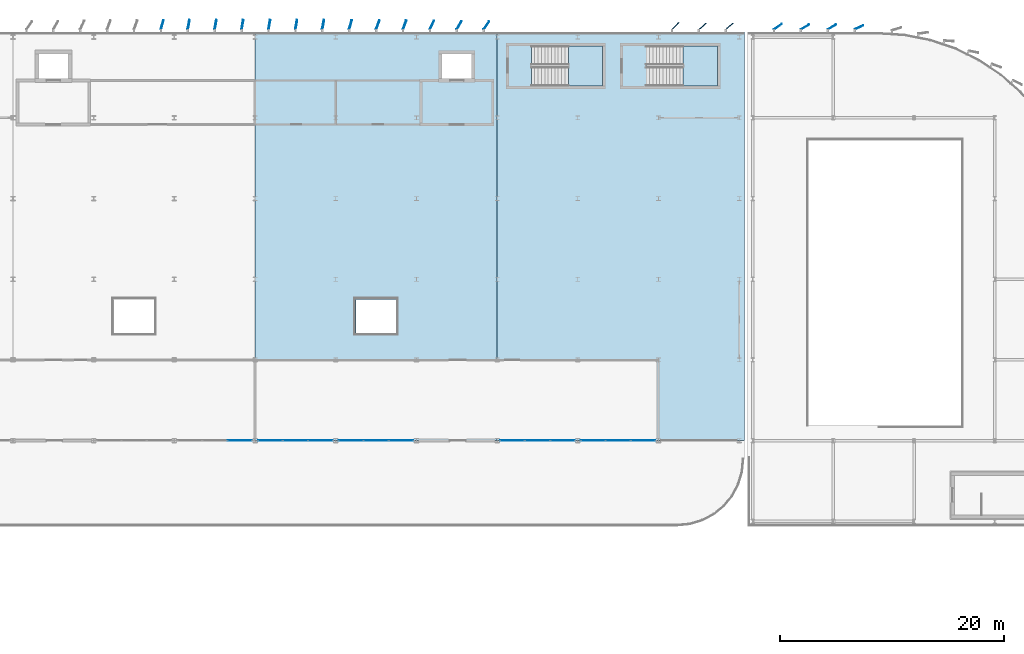
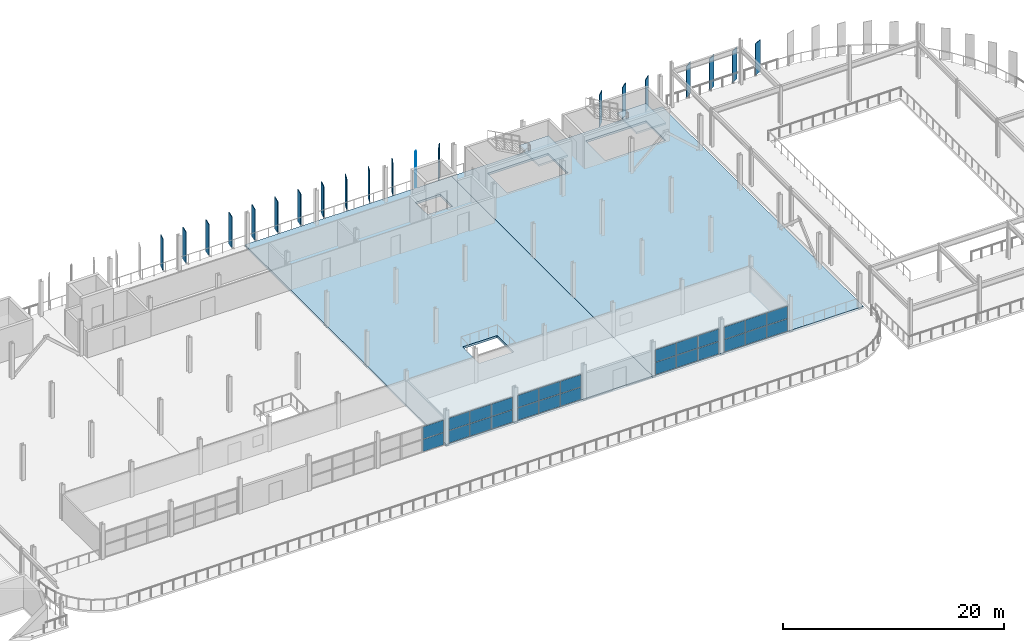
# One storey, part 23 of 40: 46 plates, 4 slabs, 7 elements without a shape of their own.
"""IFC4 building model written with IfcOpenShell, lengths in metres."""

from ifc_helpers import new_model, si_unit, direction, frame, origin, origin_2d, place, context, subcontext, project, spatial, polyline, rectangle, outline, extrude, material, layer, layer_set, type_object, element, aggregate, save


model = new_model("IFC4")

# Units and contexts
model_context = context("Model", 3, precision=1e-05, world=origin(), true_north=direction((0.0, 1.0)))
body_context = subcontext(model_context, "Body", "Model", "MODEL_VIEW")
ifc_project = project(units=[si_unit("LENGTHUNIT", "METRE"), si_unit("AREAUNIT", "SQUARE_METRE"), si_unit("VOLUMEUNIT", "CUBIC_METRE"), si_unit("PLANEANGLEUNIT", "RADIAN"), si_unit("MASSUNIT", "GRAM", prefix="KILO")], contexts=[model_context])

# Site, building, storey
site_placement = place(None, origin())
site = spatial("IfcSite", under=ifc_project, at=site_placement, CompositionType="ELEMENT")
building_placement = place(site_placement, origin())
building = spatial("IfcBuilding", under=site, at=building_placement, Name="Vaelcorin Mobility Hub", CompositionType="ELEMENT")
storey_placement = place(building_placement, frame((0.0, 0.0, 17.10009765625)))
storey = spatial("IfcBuildingStorey", under=building, at=storey_placement, Name="L04", CompositionType="ELEMENT", Elevation=17.10009765625)

# Curtain wall, plates
ifc_material_1 = material(Name="Anodised aluminium 6063-T6", Category="aluminium")
curtain_wall_type = type_object("IfcCurtainWallType", Name="CW-MOB-A", PredefinedType="NOTDEFINED", material=ifc_material_1)
curtain_wall_1_placement = place(storey_placement, origin())
curtain_wall_1 = element("IfcCurtainWall", 1, at=curtain_wall_1_placement, inside=storey, type_object=curtain_wall_type, Name="L04 Curtain Wall CW-V4-L04-S-06", PredefinedType="NOTDEFINED")
ifc_material_2 = material(Name="Low-E solar-control insulated glazing", Category="glass")
ifc_layer_1 = layer(ifc_material_2, 0.028076171875)
ifc_layer_set_1 = layer_set([ifc_layer_1], Name="Low-E solar-control insulated glazing")
plate_type_1 = type_object("IfcPlateType", Name="CW-PAN-GLZ28", PredefinedType="CURTAIN_PANEL", material=ifc_layer_set_1)
plate_1_placement = place(storey_placement, frame((77.83837890625, 84.0, 0.06005859375), z_axis=(0.0, 0.0, 1.0), x_axis=(-1.0, 0.0, 0.0)))
plate_1 = element("IfcPlate", 2, at=plate_1_placement, type_object=plate_type_1, Name="CW7 panel 1.1", PredefinedType="CURTAIN_PANEL", context=body_context, shape_type="SweptSolid", body=[
    extrude(rectangle(XDim=2.163330078125, YDim=0.028076171875, at=origin_2d()), origin(), (0.0, 0.0, 1.0), 1.343994140625),
])
plate_2_placement = place(storey_placement, frame((77.83837890625, 84.0, 1.4638671875), z_axis=(0.0, 0.0, 1.0), x_axis=(-1.0, 0.0, 0.0)))
plate_2 = element("IfcPlate", 3, at=plate_2_placement, type_object=plate_type_1, Name="CW7 panel 1.2", PredefinedType="CURTAIN_PANEL", context=body_context, shape_type="SweptSolid", body=[
    extrude(rectangle(XDim=2.163330078125, YDim=0.028076171875, at=origin_2d()), origin(), (0.0, 0.0, 1.0), 1.343994140625),
])
aggregate(curtain_wall_1, [plate_1, plate_2])

curtain_wall_2_placement = place(storey_placement, origin())
curtain_wall_2 = element("IfcCurtainWall", 4, at=curtain_wall_2_placement, inside=storey, type_object=curtain_wall_type, Name="L04 Curtain Wall CW-V4-L04-S-07", PredefinedType="NOTDEFINED")
plate_3_placement = place(storey_placement, frame((85.038330078125, 84.0, 0.06005859375), z_axis=(0.0, 0.0, 1.0), x_axis=(-1.0, 0.0, 0.0)))
plate_3 = element("IfcPlate", 5, at=plate_3_placement, type_object=plate_type_1, Name="CW7 panel 1.1", PredefinedType="CURTAIN_PANEL", context=body_context, shape_type="SweptSolid", body=[
    extrude(rectangle(XDim=2.163330078125, YDim=0.028076171875, at=origin_2d()), origin(), (0.0, 0.0, 1.0), 1.343994140625),
])
plate_4_placement = place(storey_placement, frame((85.038330078125, 84.0, 1.4638671875), z_axis=(0.0, 0.0, 1.0), x_axis=(-1.0, 0.0, 0.0)))
plate_4 = element("IfcPlate", 6, at=plate_4_placement, type_object=plate_type_1, Name="CW7 panel 1.2", PredefinedType="CURTAIN_PANEL", context=body_context, shape_type="SweptSolid", body=[
    extrude(rectangle(XDim=2.163330078125, YDim=0.028076171875, at=origin_2d()), origin(), (0.0, 0.0, 1.0), 1.343994140625),
])
plate_5_placement = place(storey_placement, frame((82.800048828125, 84.0, 0.06005859375), z_axis=(0.0, 0.0, 1.0), x_axis=(-1.0, 0.0, 0.0)))
plate_5 = element("IfcPlate", 7, at=plate_5_placement, type_object=plate_type_1, Name="CW7 panel 2.1", PredefinedType="CURTAIN_PANEL", context=body_context, shape_type="SweptSolid", body=[
    extrude(rectangle(XDim=2.193359375, YDim=0.028076171875, at=origin_2d()), origin(), (0.0, 0.0, 1.0), 1.343994140625),
])
plate_6_placement = place(storey_placement, frame((82.800048828125, 84.0, 1.4638671875), z_axis=(0.0, 0.0, 1.0), x_axis=(-1.0, 0.0, 0.0)))
plate_6 = element("IfcPlate", 8, at=plate_6_placement, type_object=plate_type_1, Name="CW7 panel 2.2", PredefinedType="CURTAIN_PANEL", context=body_context, shape_type="SweptSolid", body=[
    extrude(rectangle(XDim=2.193359375, YDim=0.028076171875, at=origin_2d()), origin(), (0.0, 0.0, 1.0), 1.343994140625),
])
plate_7_placement = place(storey_placement, frame((80.561767578125, 84.0, 0.06005859375), z_axis=(0.0, 0.0, 1.0), x_axis=(-1.0, 0.0, 0.0)))
plate_7 = element("IfcPlate", 9, at=plate_7_placement, type_object=plate_type_1, Name="CW7 panel 3.1", PredefinedType="CURTAIN_PANEL", context=body_context, shape_type="SweptSolid", body=[
    extrude(rectangle(XDim=2.163330078125, YDim=0.028076171875, at=origin_2d()), origin(), (0.0, 0.0, 1.0), 1.343994140625),
])
plate_8_placement = place(storey_placement, frame((80.561767578125, 84.0, 1.4638671875), z_axis=(0.0, 0.0, 1.0), x_axis=(-1.0, 0.0, 0.0)))
plate_8 = element("IfcPlate", 10, at=plate_8_placement, type_object=plate_type_1, Name="CW7 panel 3.2", PredefinedType="CURTAIN_PANEL", context=body_context, shape_type="SweptSolid", body=[
    extrude(rectangle(XDim=2.163330078125, YDim=0.028076171875, at=origin_2d()), origin(), (0.0, 0.0, 1.0), 1.343994140625),
])
aggregate(curtain_wall_2, [plate_3, plate_4, plate_5, plate_6, plate_7, plate_8])

curtain_wall_3_placement = place(storey_placement, origin())
curtain_wall_3 = element("IfcCurtainWall", 11, at=curtain_wall_3_placement, inside=storey, type_object=curtain_wall_type, Name="L04 Curtain Wall CW-V4-L04-S-08", PredefinedType="NOTDEFINED")
plate_9_placement = place(storey_placement, frame((92.23828125, 84.0, 0.06005859375), z_axis=(0.0, 0.0, 1.0), x_axis=(-1.0, 0.0, 0.0)))
plate_9 = element("IfcPlate", 12, at=plate_9_placement, type_object=plate_type_1, Name="CW7 panel 1.1", PredefinedType="CURTAIN_PANEL", context=body_context, shape_type="SweptSolid", body=[
    extrude(rectangle(XDim=2.163330078125, YDim=0.028076171875, at=origin_2d()), origin(), (0.0, 0.0, 1.0), 1.343994140625),
])
plate_10_placement = place(storey_placement, frame((92.23828125, 84.0, 1.4638671875), z_axis=(0.0, 0.0, 1.0), x_axis=(-1.0, 0.0, 0.0)))
plate_10 = element("IfcPlate", 13, at=plate_10_placement, type_object=plate_type_1, Name="CW7 panel 1.2", PredefinedType="CURTAIN_PANEL", context=body_context, shape_type="SweptSolid", body=[
    extrude(rectangle(XDim=2.163330078125, YDim=0.028076171875, at=origin_2d()), origin(), (0.0, 0.0, 1.0), 1.343994140625),
])
plate_11_placement = place(storey_placement, frame((90.0, 84.0, 0.06005859375), z_axis=(0.0, 0.0, 1.0), x_axis=(-1.0, 0.0, 0.0)))
plate_11 = element("IfcPlate", 14, at=plate_11_placement, type_object=plate_type_1, Name="CW7 panel 2.1", PredefinedType="CURTAIN_PANEL", context=body_context, shape_type="SweptSolid", body=[
    extrude(rectangle(XDim=2.193359375, YDim=0.028076171875, at=origin_2d()), origin(), (0.0, 0.0, 1.0), 1.343994140625),
])
plate_12_placement = place(storey_placement, frame((90.0, 84.0, 1.4638671875), z_axis=(0.0, 0.0, 1.0), x_axis=(-1.0, 0.0, 0.0)))
plate_12 = element("IfcPlate", 15, at=plate_12_placement, type_object=plate_type_1, Name="CW7 panel 2.2", PredefinedType="CURTAIN_PANEL", context=body_context, shape_type="SweptSolid", body=[
    extrude(rectangle(XDim=2.193359375, YDim=0.028076171875, at=origin_2d()), origin(), (0.0, 0.0, 1.0), 1.343994140625),
])
plate_13_placement = place(storey_placement, frame((87.76171875, 84.0, 0.06005859375), z_axis=(0.0, 0.0, 1.0), x_axis=(-1.0, 0.0, 0.0)))
plate_13 = element("IfcPlate", 16, at=plate_13_placement, type_object=plate_type_1, Name="CW7 panel 3.1", PredefinedType="CURTAIN_PANEL", context=body_context, shape_type="SweptSolid", body=[
    extrude(rectangle(XDim=2.163330078125, YDim=0.028076171875, at=origin_2d()), origin(), (0.0, 0.0, 1.0), 1.343994140625),
])
plate_14_placement = place(storey_placement, frame((87.76171875, 84.0, 1.4638671875), z_axis=(0.0, 0.0, 1.0), x_axis=(-1.0, 0.0, 0.0)))
plate_14 = element("IfcPlate", 17, at=plate_14_placement, type_object=plate_type_1, Name="CW7 panel 3.2", PredefinedType="CURTAIN_PANEL", context=body_context, shape_type="SweptSolid", body=[
    extrude(rectangle(XDim=2.163330078125, YDim=0.028076171875, at=origin_2d()), origin(), (0.0, 0.0, 1.0), 1.343994140625),
])
aggregate(curtain_wall_3, [plate_9, plate_10, plate_11, plate_12, plate_13, plate_14])

curtain_wall_4_placement = place(storey_placement, origin())
curtain_wall_4 = element("IfcCurtainWall", 18, at=curtain_wall_4_placement, inside=storey, type_object=curtain_wall_type, Name="L04 Curtain Wall CW-V4-L04-S-10", PredefinedType="NOTDEFINED")
plate_15_placement = place(storey_placement, frame((106.638427734375, 84.0, 0.06005859375), z_axis=(0.0, 0.0, 1.0), x_axis=(-1.0, 0.0, 0.0)))
plate_15 = element("IfcPlate", 19, at=plate_15_placement, type_object=plate_type_1, Name="CW7 panel 1.1", PredefinedType="CURTAIN_PANEL", context=body_context, shape_type="SweptSolid", body=[
    extrude(rectangle(XDim=2.163330078125, YDim=0.028076171875, at=origin_2d()), origin(), (0.0, 0.0, 1.0), 1.343994140625),
])
plate_16_placement = place(storey_placement, frame((106.638427734375, 84.0, 1.4638671875), z_axis=(0.0, 0.0, 1.0), x_axis=(-1.0, 0.0, 0.0)))
plate_16 = element("IfcPlate", 20, at=plate_16_placement, type_object=plate_type_1, Name="CW7 panel 1.2", PredefinedType="CURTAIN_PANEL", context=body_context, shape_type="SweptSolid", body=[
    extrude(rectangle(XDim=2.163330078125, YDim=0.028076171875, at=origin_2d()), origin(), (0.0, 0.0, 1.0), 1.343994140625),
])
plate_17_placement = place(storey_placement, frame((104.39990234375, 84.0, 0.06005859375), z_axis=(0.0, 0.0, 1.0), x_axis=(-1.0, 0.0, 0.0)))
plate_17 = element("IfcPlate", 21, at=plate_17_placement, type_object=plate_type_1, Name="CW7 panel 2.1", PredefinedType="CURTAIN_PANEL", context=body_context, shape_type="SweptSolid", body=[
    extrude(rectangle(XDim=2.193359375, YDim=0.028076171875, at=origin_2d()), origin(), (0.0, 0.0, 1.0), 1.343994140625),
])
plate_18_placement = place(storey_placement, frame((104.39990234375, 84.0, 1.4638671875), z_axis=(0.0, 0.0, 1.0), x_axis=(-1.0, 0.0, 0.0)))
plate_18 = element("IfcPlate", 22, at=plate_18_placement, type_object=plate_type_1, Name="CW7 panel 2.2", PredefinedType="CURTAIN_PANEL", context=body_context, shape_type="SweptSolid", body=[
    extrude(rectangle(XDim=2.193359375, YDim=0.028076171875, at=origin_2d()), origin(), (0.0, 0.0, 1.0), 1.343994140625),
])
plate_19_placement = place(storey_placement, frame((102.16162109375, 84.0, 0.06005859375), z_axis=(0.0, 0.0, 1.0), x_axis=(-1.0, 0.0, 0.0)))
plate_19 = element("IfcPlate", 23, at=plate_19_placement, type_object=plate_type_1, Name="CW7 panel 3.1", PredefinedType="CURTAIN_PANEL", context=body_context, shape_type="SweptSolid", body=[
    extrude(rectangle(XDim=2.163330078125, YDim=0.028076171875, at=origin_2d()), origin(), (0.0, 0.0, 1.0), 1.343994140625),
])
plate_20_placement = place(storey_placement, frame((102.16162109375, 84.0, 1.4638671875), z_axis=(0.0, 0.0, 1.0), x_axis=(-1.0, 0.0, 0.0)))
plate_20 = element("IfcPlate", 24, at=plate_20_placement, type_object=plate_type_1, Name="CW7 panel 3.2", PredefinedType="CURTAIN_PANEL", context=body_context, shape_type="SweptSolid", body=[
    extrude(rectangle(XDim=2.163330078125, YDim=0.028076171875, at=origin_2d()), origin(), (0.0, 0.0, 1.0), 1.343994140625),
])
aggregate(curtain_wall_4, [plate_15, plate_16, plate_17, plate_18, plate_19, plate_20])

curtain_wall_5_placement = place(storey_placement, origin())
curtain_wall_5 = element("IfcCurtainWall", 25, at=curtain_wall_5_placement, inside=storey, type_object=curtain_wall_type, Name="L04 Curtain Wall CW-V4-L04-S-11", PredefinedType="NOTDEFINED")
plate_21_placement = place(storey_placement, frame((113.83837890625, 84.0, 0.06005859375), z_axis=(0.0, 0.0, 1.0), x_axis=(-1.0, 0.0, 0.0)))
plate_21 = element("IfcPlate", 26, at=plate_21_placement, type_object=plate_type_1, Name="CW7 panel 1.1", PredefinedType="CURTAIN_PANEL", context=body_context, shape_type="SweptSolid", body=[
    extrude(rectangle(XDim=2.163330078125, YDim=0.028076171875, at=origin_2d()), origin(), (0.0, 0.0, 1.0), 1.343994140625),
])
plate_22_placement = place(storey_placement, frame((113.83837890625, 84.0, 1.4638671875), z_axis=(0.0, 0.0, 1.0), x_axis=(-1.0, 0.0, 0.0)))
plate_22 = element("IfcPlate", 27, at=plate_22_placement, type_object=plate_type_1, Name="CW7 panel 1.2", PredefinedType="CURTAIN_PANEL", context=body_context, shape_type="SweptSolid", body=[
    extrude(rectangle(XDim=2.163330078125, YDim=0.028076171875, at=origin_2d()), origin(), (0.0, 0.0, 1.0), 1.343994140625),
])
plate_23_placement = place(storey_placement, frame((111.60009765625, 84.0, 0.06005859375), z_axis=(0.0, 0.0, 1.0), x_axis=(-1.0, 0.0, 0.0)))
plate_23 = element("IfcPlate", 28, at=plate_23_placement, type_object=plate_type_1, Name="CW7 panel 2.1", PredefinedType="CURTAIN_PANEL", context=body_context, shape_type="SweptSolid", body=[
    extrude(rectangle(XDim=2.193359375, YDim=0.028076171875, at=origin_2d()), origin(), (0.0, 0.0, 1.0), 1.343994140625),
])
plate_24_placement = place(storey_placement, frame((111.60009765625, 84.0, 1.4638671875), z_axis=(0.0, 0.0, 1.0), x_axis=(-1.0, 0.0, 0.0)))
plate_24 = element("IfcPlate", 29, at=plate_24_placement, type_object=plate_type_1, Name="CW7 panel 2.2", PredefinedType="CURTAIN_PANEL", context=body_context, shape_type="SweptSolid", body=[
    extrude(rectangle(XDim=2.193359375, YDim=0.028076171875, at=origin_2d()), origin(), (0.0, 0.0, 1.0), 1.343994140625),
])
plate_25_placement = place(storey_placement, frame((109.361572265625, 84.0, 0.06005859375), z_axis=(0.0, 0.0, 1.0), x_axis=(-1.0, 0.0, 0.0)))
plate_25 = element("IfcPlate", 30, at=plate_25_placement, type_object=plate_type_1, Name="CW7 panel 3.1", PredefinedType="CURTAIN_PANEL", context=body_context, shape_type="SweptSolid", body=[
    extrude(rectangle(XDim=2.163330078125, YDim=0.028076171875, at=origin_2d()), origin(), (0.0, 0.0, 1.0), 1.343994140625),
])
plate_26_placement = place(storey_placement, frame((109.361572265625, 84.0, 1.4638671875), z_axis=(0.0, 0.0, 1.0), x_axis=(-1.0, 0.0, 0.0)))
plate_26 = element("IfcPlate", 31, at=plate_26_placement, type_object=plate_type_1, Name="CW7 panel 3.2", PredefinedType="CURTAIN_PANEL", context=body_context, shape_type="SweptSolid", body=[
    extrude(rectangle(XDim=2.163330078125, YDim=0.028076171875, at=origin_2d()), origin(), (0.0, 0.0, 1.0), 1.343994140625),
])
aggregate(curtain_wall_5, [plate_21, plate_22, plate_23, plate_24, plate_25, plate_26])

# Plates
ifc_material_3 = material(Name="Perforated terracotta-bronze aluminium aerofoil", Category="masonry")
ifc_layer_2 = layer(ifc_material_3, 0.06005859375)
ifc_layer_set_2 = layer_set([ifc_layer_2], Name="Perforated terracotta-bronze aluminium aerofoil")
plate_type_2 = type_object("IfcPlateType", Name="PL-FIN-AF1", PredefinedType="SHEET", material=ifc_layer_set_2)
for number, where, z_axis, x_axis, name in (
    (32, (125.847900390625, 120.93408203125, -0.16015625), (0.0, 0.0, 1.0), (0.819152044289, 0.573576436351, 0.0), "Rotating Terracotta-Bronze Aerofoil Fin FIN-V2E-L04-N-AF-01"),
    (33, (128.26806640625, 120.902099609375, -0.16015625), (0.0, 0.0, 1.0), (0.866025403784, 0.5, 0.0), "Rotating Terracotta-Bronze Aerofoil Fin FIN-V2E-L04-N-AF-02"),
    (34, (130.66796875, 120.902099609375, -0.16015625), (0.0, 0.0, 1.0), (0.866025403784, 0.5, 0.0), "Rotating Terracotta-Bronze Aerofoil Fin FIN-V2E-L04-N-AF-03"),
    (35, (133.0849609375, 120.8701171875, -0.16015625), (0.0, 0.0, 1.0), (0.906307787037, 0.422618261741, 0.0), "Rotating Terracotta-Bronze Aerofoil Fin FIN-V2E-L04-N-AF-04"),
):
    element("IfcPlate", number, at=place(storey_placement, frame(where, z_axis=z_axis, x_axis=x_axis)), inside=storey, type_object=plate_type_2, Name=name, PredefinedType="SHEET", context=body_context, shape_type="SweptSolid", body=[
        extrude(rectangle(XDim=0.85009765625, YDim=0.06005859375, at=origin_2d()), origin(), (0.0, 0.0, 1.0), 3.5),
    ])
ifc_layer_3 = layer(ifc_material_3, 0.070068359375)
ifc_layer_set_3 = layer_set([ifc_layer_3], Name="Perforated terracotta-bronze aluminium aerofoil")
plate_type_3 = type_object("IfcPlateType", Name="PL-FIN-AF3", PredefinedType="SHEET", material=ifc_layer_set_3)
for number, where, z_axis, x_axis, name in (
    (36, (70.909912109375, 121.10107421875, -0.16015625), (0.0, 0.0, 1.0), (0.258819045103, 0.965925826289, 0.0), "Rotating Terracotta-Bronze Aerofoil Fin FIN-V4-L04-N-05-AF-03"),
    (37, (73.27392578125, 121.10888671875, -0.16015625), (0.0, 0.0, 1.0), (0.173648177667, 0.984807753012, 0.0), "Rotating Terracotta-Bronze Aerofoil Fin FIN-V4-L04-N-06-AF-01"),
    (38, (75.674072265625, 121.10888671875, -0.16015625), (0.0, 0.0, 1.0), (0.173648177667, 0.984807753012, 0.0), "Rotating Terracotta-Bronze Aerofoil Fin FIN-V4-L04-N-06-AF-02"),
    (39, (78.073974609375, 121.10888671875, -0.16015625), (0.0, 0.0, 1.0), (0.173648177667, 0.984807753012, 0.0), "Rotating Terracotta-Bronze Aerofoil Fin FIN-V4-L04-N-06-AF-03"),
    (40, (80.47412109375, 121.10888671875, -0.16015625), (0.0, 0.0, 1.0), (0.173648177667, 0.984807753012, 0.0), "Rotating Terracotta-Bronze Aerofoil Fin FIN-V4-L04-N-07-AF-01"),
    (41, (82.8740234375, 121.10888671875, -0.16015625), (0.0, 0.0, 1.0), (0.173648177667, 0.984807753012, 0.0), "Rotating Terracotta-Bronze Aerofoil Fin FIN-V4-L04-N-07-AF-02"),
    (42, (85.27392578125, 121.10888671875, -0.16015625), (0.0, 0.0, 1.0), (0.173648177667, 0.984807753012, 0.0), "Rotating Terracotta-Bronze Aerofoil Fin FIN-V4-L04-N-07-AF-03"),
    (43, (87.7099609375, 121.10107421875, -0.16015625), (0.0, 0.0, 1.0), (0.258819045103, 0.965925826289, 0.0), "Rotating Terracotta-Bronze Aerofoil Fin FIN-V4-L04-N-08-AF-01"),
    (44, (90.14501953125, 121.089111328125, -0.16015625), (0.0, 0.0, 1.0), (0.342020143326, 0.939692620786, 0.0), "Rotating Terracotta-Bronze Aerofoil Fin FIN-V4-L04-N-08-AF-02"),
    (45, (92.544921875, 121.089111328125, -0.16015625), (0.0, 0.0, 1.0), (0.342020143326, 0.939692620786, 0.0), "Rotating Terracotta-Bronze Aerofoil Fin FIN-V4-L04-N-08-AF-03"),
    (46, (94.97998046875, 121.074951171875, -0.16015625), (0.0, 0.0, 1.0), (0.422618261741, 0.906307787037, 0.0), "Rotating Terracotta-Bronze Aerofoil Fin FIN-V4-L04-N-09-AF-01"),
    (47, (97.412109375, 121.05810546875, -0.16015625), (0.0, 0.0, 1.0), (0.5, 0.866025403784, 0.0), "Rotating Terracotta-Bronze Aerofoil Fin FIN-V4-L04-N-09-AF-02"),
    (48, (99.843994140625, 121.0380859375, -0.16015625), (0.0, 0.0, 1.0), (0.573576436351, 0.819152044289, 0.0), "Rotating Terracotta-Bronze Aerofoil Fin FIN-V4-L04-N-09-AF-03"),
    (49, (116.700927734375, 120.990966796875, -0.16015625), (0.0, 0.0, 1.0), (0.707106781187, 0.707106781187, 0.0), "Rotating Terracotta-Bronze Aerofoil Fin FIN-V4-L04-N-12-AF-01"),
    (50, (119.1259765625, 120.962890625, -0.16015625), (0.0, 0.0, 1.0), (0.766044443119, 0.642787609687, 0.0), "Rotating Terracotta-Bronze Aerofoil Fin FIN-V4-L04-N-12-AF-02"),
    (51, (121.52587890625, 120.962890625, -0.16015625), (0.0, 0.0, 1.0), (0.766044443119, 0.642787609687, 0.0), "Rotating Terracotta-Bronze Aerofoil Fin FIN-V4-L04-N-12-AF-03"),
):
    element("IfcPlate", number, at=place(storey_placement, frame(where, z_axis=z_axis, x_axis=x_axis)), inside=storey, type_object=plate_type_3, Name=name, PredefinedType="SHEET", context=body_context, shape_type="SweptSolid", body=[
        extrude(rectangle(XDim=0.85009765625, YDim=0.070068359375, at=origin_2d()), origin(), (0.0, 0.0, 1.0), 3.5),
    ])

# Stair, slab
ifc_material_4 = material(Name="Reinforced concrete f'c 45 MPa", Category="concrete")
stair_type_1 = type_object("IfcStairType", Name="STAIR-ST4", PredefinedType="HALF_TURN_STAIR", material=ifc_material_4)
stair_1_placement = place(storey_placement, origin())
stair_1 = element("IfcStair", 52, at=stair_1_placement, inside=storey, type_object=stair_type_1, Name="L04 Protected Exit Stair ST4", PredefinedType="HALF_TURN_STAIR")
ifc_layer_4 = layer(ifc_material_4, 0.199951171875)
ifc_layer_set_4 = layer_set([ifc_layer_4], Name="Reinforced concrete f'c 45 MPa")
slab_type_1 = type_object("IfcSlabType", Name="SLAB-LND-200", PredefinedType="LANDING", material=ifc_layer_set_4)
slab_1_placement = place(storey_placement, frame((0.0, 0.0, 1.75)))
slab_1 = element("IfcSlab", 53, at=slab_1_placement, type_object=slab_type_1, Name="ST4 landing 1", PredefinedType="LANDING", context=body_context, shape_type="SweptSolid", body=[
    extrude(outline(polyline([(107.14990234375, 115.64990234375), (110.199951171875, 115.64990234375), (110.199951171875, 119.2099609375), (107.14990234375, 119.2099609375), (107.14990234375, 115.64990234375)])), origin(), (0.0, 0.0, 1.0), 0.199951171875),
])
aggregate(stair_1, [slab_1])

stair_type_2 = type_object("IfcStairType", Name="STAIR-ST9", PredefinedType="HALF_TURN_STAIR", material=ifc_material_4)
stair_2_placement = place(storey_placement, origin())
stair_2 = element("IfcStair", 54, at=stair_2_placement, inside=storey, type_object=stair_type_2, Name="L04 Protected Exit Stair ST9", PredefinedType="HALF_TURN_STAIR")
slab_2_placement = place(storey_placement, frame((0.0, 0.0, 1.75)))
slab_2 = element("IfcSlab", 55, at=slab_2_placement, type_object=slab_type_1, Name="ST9 landing 1", PredefinedType="LANDING", context=body_context, shape_type="SweptSolid", body=[
    extrude(outline(polyline([(117.39990234375, 115.64990234375), (120.449951171875, 115.64990234375), (120.449951171875, 119.2099609375), (117.39990234375, 119.2099609375), (117.39990234375, 115.64990234375)])), origin(), (0.0, 0.0, 1.0), 0.199951171875),
])
aggregate(stair_2, [slab_2])

# Slabs
ifc_material_5 = material(Name="Concrete f'c 35 MPa", Category="concrete")
ifc_layer_5 = layer(ifc_material_5, 0.239990234375)
ifc_layer_set_5 = layer_set([ifc_layer_5], Name="Concrete f'c 35 MPa")
slab_type_2 = type_object("IfcSlabType", Name="SLAB-PK2", PredefinedType="FLOOR", material=ifc_layer_set_5)
slab_3_placement = place(storey_placement, frame((0.0, 0.0, -0.239990234375)))
element("IfcSlab", 56, at=slab_3_placement, inside=storey, type_object=slab_type_2, Name="L04 EV Mobility Deck SL-V4-L04-Q3", PredefinedType="FLOOR", context=body_context, shape_type="SweptSolid", body=[
    extrude(outline(polyline([(79.199951171875, 120.449951171875), (100.800048828125, 120.449951171875), (100.800048828125, 84.0), (79.199951171875, 84.0), (79.199951171875, 120.449951171875)]), holes=[polyline([(91.800048828125, 96.60009765625), (88.199951171875, 96.60009765625), (88.199951171875, 93.60009765625), (91.800048828125, 93.60009765625), (91.800048828125, 96.60009765625)]), polyline([(95.89990234375, 118.5), (95.89990234375, 116.300048828125), (98.5, 116.300048828125), (98.5, 118.5), (95.89990234375, 118.5)])]), origin(), (0.0, 0.0, 1.0), 0.239990234375),
])
slab_4_placement = place(storey_placement, frame((0.0, 0.0, -0.239990234375)))
element("IfcSlab", 57, at=slab_4_placement, inside=storey, type_object=slab_type_2, Name="L04 EV Mobility Deck SL-V4-L04-Q4", PredefinedType="FLOOR", context=body_context, shape_type="SweptSolid", body=[
    extrude(outline(polyline([(100.800048828125, 120.449951171875), (122.85009765625, 120.449951171875), (122.85009765625, 84.0), (100.800048828125, 84.0), (100.800048828125, 120.449951171875)]), holes=[polyline([(103.85498046875, 119.2099609375), (103.85498046875, 115.64990234375), (110.199951171875, 115.64990234375), (110.199951171875, 119.2099609375), (103.85498046875, 119.2099609375)]), polyline([(120.449951171875, 119.2099609375), (114.10498046875, 119.2099609375), (114.10498046875, 115.64990234375), (120.449951171875, 115.64990234375), (120.449951171875, 119.2099609375)])]), origin(), (0.0, 0.0, 1.0), 0.239990234375),
])

save(model, "model.ifc")
